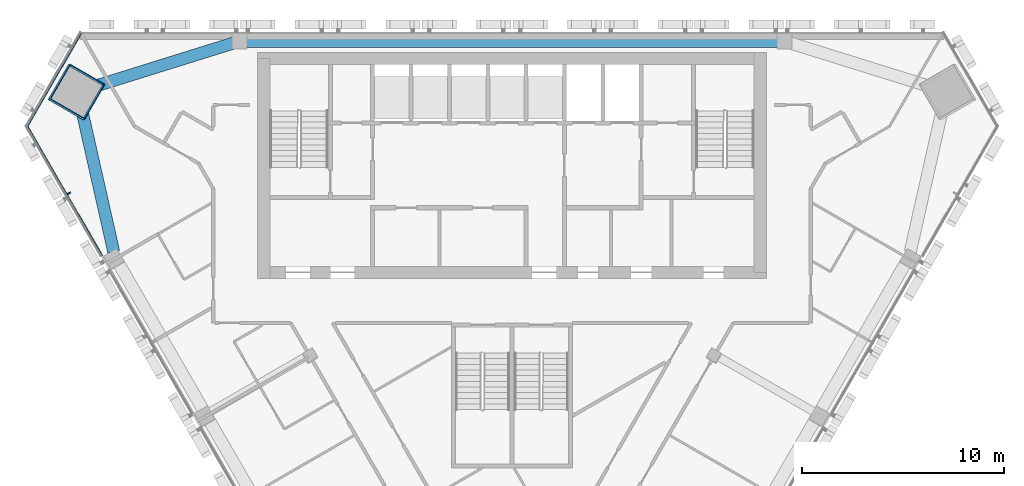
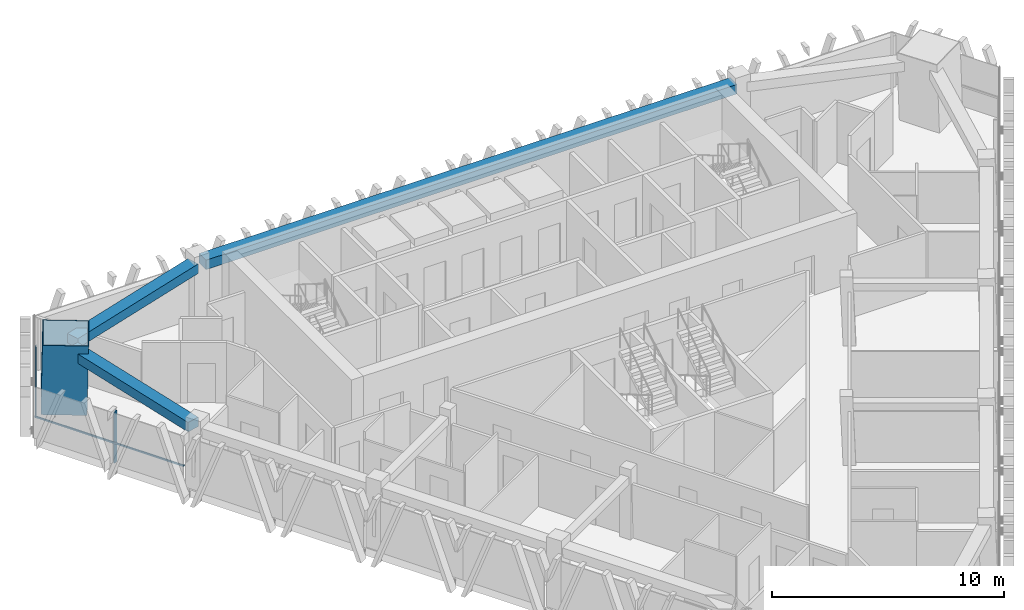
# One storey, part 5 of 14: 4 members, 3 beams, 2 elements without a shape of their own.
"""IFC4 building model written with IfcOpenShell, lengths in metres."""

from ifc_helpers import new_model, si_unit, direction, frame, origin, origin_2d, place, context, subcontext, project, spatial, rectangle, hollow_rectangle, extrude, material, layer, layer_set, material_profile, profile_set, type_object, element, aggregate, save


model = new_model("IFC4")

# Units and contexts
model_context = context("Model", 3, precision=1e-05, world=origin(), true_north=direction((0.0, 1.0)))
body_context = subcontext(model_context, "Body", "Model", "MODEL_VIEW")
ifc_project = project(units=[si_unit("LENGTHUNIT", "METRE"), si_unit("AREAUNIT", "SQUARE_METRE"), si_unit("VOLUMEUNIT", "CUBIC_METRE"), si_unit("PLANEANGLEUNIT", "RADIAN"), si_unit("MASSUNIT", "GRAM", prefix="KILO")], contexts=[model_context])

# Site, building, storey
site_placement = place(None, origin())
site = spatial("IfcSite", under=ifc_project, at=site_placement, CompositionType="ELEMENT")
building_placement = place(site_placement, origin())
building = spatial("IfcBuilding", under=site, at=building_placement, Name="Altiplano Prism Tower", CompositionType="ELEMENT")
storey_placement = place(building_placement, frame((0.0, 0.0, 242.800048828125)))
storey = spatial("IfcBuildingStorey", under=building, at=storey_placement, Name="L62", CompositionType="ELEMENT", Elevation=242.800048828125)

# Curtain wall, member
ifc_material_1 = material(Name="Aluminium and glass", Category="aluminium")
ifc_layer = layer(ifc_material_1, 0.280029296875)
ifc_layer_set = layer_set([ifc_layer], Name="Aluminium and glass")
curtain_wall_type = type_object("IfcCurtainWallType", Name="CW1 typical co-living unitised curtain wall", PredefinedType="NOTDEFINED", material=ifc_layer_set)
curtain_wall_1_placement = place(storey_placement, origin())
curtain_wall_1 = element("IfcCurtainWall", 1, at=curtain_wall_1_placement, inside=storey, type_object=curtain_wall_type, Name="CW1 curtain wall south-west face L62", PredefinedType="NOTDEFINED")
ifc_material_2 = material(Name="Aluminium", Category="aluminium")
ifc_material_profile_1 = material_profile(ifc_material_2, rectangle(XDim=0.179931640625, YDim=0.06494140625, at=origin_2d()), Name="CW1 mullion 65 x 180")
ifc_profile_set_1 = profile_set([ifc_material_profile_1], Name="Aluminium")
member_type_1 = type_object("IfcMemberType", Name="CW1 mullion 65 x 180", PredefinedType="MULLION", material=ifc_profile_set_1)
member_1_placement = place(storey_placement, frame((63.048583984375, 97.010986328125, 0.0), z_axis=(0.0, 0.0, 1.0), x_axis=(0.866025401638, 0.500000003718, 0.0)))
member_1 = element("IfcMember", 2, at=member_1_placement, type_object=member_type_1, Name="CW1 mullion", PredefinedType="MULLION", context=body_context, shape_type="SweptSolid", body=[
    extrude(rectangle(XDim=0.179931640625, YDim=0.06494140625, at=origin_2d()), origin(), (0.0, 0.0, 1.0), 2.699951171875),
])

curtain_wall_2_placement = place(storey_placement, origin())
curtain_wall_2 = element("IfcCurtainWall", 3, at=curtain_wall_2_placement, inside=storey, type_object=curtain_wall_type, Name="CW1 curtain wall north-west chamfer L62", PredefinedType="NOTDEFINED")
ifc_material_profile_2 = material_profile(ifc_material_2, rectangle(XDim=0.06005859375, YDim=0.080078125, at=origin_2d()), Name="CW1 transom 80 x 60")
ifc_profile_set_2 = profile_set([ifc_material_profile_2], Name="Aluminium")
member_type_2 = type_object("IfcMemberType", Name="CW1 transom 80 x 60", PredefinedType="USERDEFINED", material=ifc_profile_set_2)
member_2_placement = place(storey_placement, frame((63.66357421875, 104.965087890625, 1.099853515625), z_axis=(-0.500004955061, -0.86602254296, 0.0), x_axis=(0.86602254296, -0.500004955061, 0.0)))
member_2 = element("IfcMember", 4, at=member_2_placement, type_object=member_type_2, Name="CW1 transom", ObjectType="TRANSOM", PredefinedType="USERDEFINED", context=body_context, shape_type="SweptSolid", body=[
    extrude(rectangle(XDim=0.06005859375, YDim=0.080078125, at=origin_2d()), origin(), (0.0, 0.0, 1.0), 5.38623046875),
])
aggregate(curtain_wall_2, [member_2])

# Member
member_3_placement = place(storey_placement, frame((60.970458984375, 100.37060546875, 1.099853515625), z_axis=(0.499984636837, -0.866034273529, 0.0), x_axis=(0.866034273529, 0.499984636837, 0.0)))
member_3 = element("IfcMember", 5, at=member_3_placement, type_object=member_type_2, Name="CW1 transom", ObjectType="TRANSOM", PredefinedType="USERDEFINED", context=body_context, shape_type="SweptSolid", body=[
    extrude(rectangle(XDim=0.06005859375, YDim=0.080078125, at=origin_2d()), origin(), (0.0, 0.0, 1.0), 7.442626953125),
])

aggregate(curtain_wall_1, [member_1, member_3])

# Beams
ifc_material_3 = material(Name="Concrete C60/75", Category="concrete")
ifc_material_profile_3 = material_profile(ifc_material_3, rectangle(XDim=0.60009765625, YDim=0.5, at=origin_2d()), Name="Edge beam 600x500")
ifc_profile_set_3 = profile_set([ifc_material_profile_3], Name="Concrete C60/75")
beam_type = type_object("IfcBeamType", Name="Edge beam 600x500", PredefinedType="SPANDREL", material=ifc_profile_set_3)
beam_placement = place(storey_placement, frame((98.2451171875, 104.550048828125, 2.949951171875), z_axis=(-1.0, 0.0, 0.0), x_axis=(0.0, -1.0, 0.0)))
element("IfcBeam", 6, at=beam_placement, inside=storey, type_object=beam_type, Name="Edge beam P01-P04 L63", PredefinedType="SPANDREL", context=body_context, shape_type="SweptSolid", body=[
    extrude(rectangle(XDim=0.60009765625, YDim=0.5, at=origin_2d()), origin(), (0.0, 0.0, 1.0), 26.490234375),
])
for number, where, z_axis, x_axis, name in (
    (7, (71.239501953125, 104.46875, 2.949951171875), (-0.954684133293, -0.297620909276, 0.0), (0.297620909276, -0.954684133293, 0.0), "Edge beam P04-M0 L63"),
    (8, (63.583251953125, 101.612060546875, 2.949951171875), (0.219604561494, -0.97558896907, 0.0), (0.97558896907, 0.219604561494, 0.0), "Edge beam M0-P11 L63"),
):
    element("IfcBeam", number, at=place(storey_placement, frame(where, z_axis=z_axis, x_axis=x_axis)), inside=storey, type_object=beam_type, Name=name, PredefinedType="SPANDREL", context=body_context, shape_type="SweptSolid", body=[
        extrude(rectangle(XDim=0.60009765625, YDim=0.5, at=origin_2d()), origin(), (0.0, 0.0, 1.0), 7.673095703125),
    ])

# Member
ifc_material_4 = material(Name="Steel S460", Category="steel")
ifc_material_profile_4 = material_profile(ifc_material_4, hollow_rectangle(XDim=2.0, YDim=2.0, WallThickness=0.0400390625, at=origin_2d()), Name="Mega column tube 2000")
ifc_profile_set_4 = profile_set([ifc_material_profile_4], Name="Steel S460")
member_type_3 = type_object("IfcMemberType", Name="Mega column tube 2000", PredefinedType="POST", material=ifc_profile_set_4)
member_4_placement = place(storey_placement, frame((63.382080078125, 102.017822265625, 0.0), z_axis=(0.028403739082, 0.009219352065, 0.999554016126), x_axis=(-0.865127382623, 0.501154819451, 0.019961432206)))
element("IfcMember", 9, at=member_4_placement, inside=storey, type_object=member_type_3, Name="Mega column tube M0 L62", PredefinedType="POST", context=body_context, shape_type="SweptSolid", body=[
    extrude(hollow_rectangle(XDim=2.0, YDim=2.0, WallThickness=0.0400390625, at=origin_2d()), origin(), (0.0, 0.0, 1.0), 3.6015625),
])

save(model, "model.ifc")
